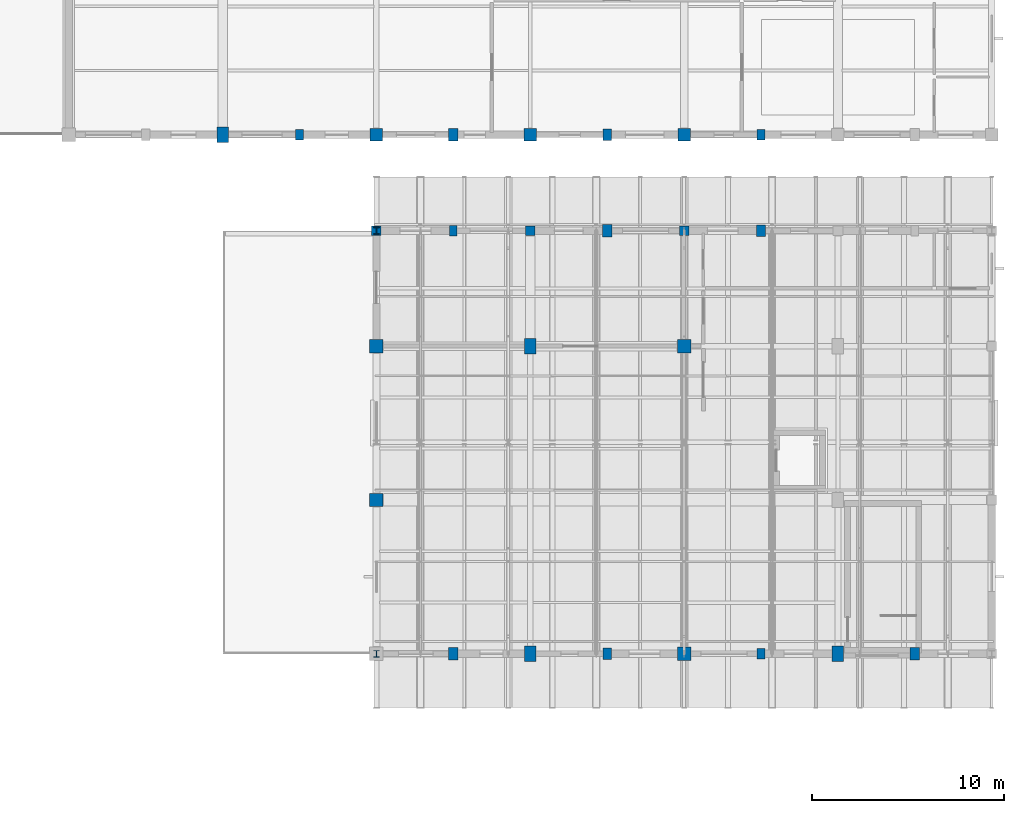
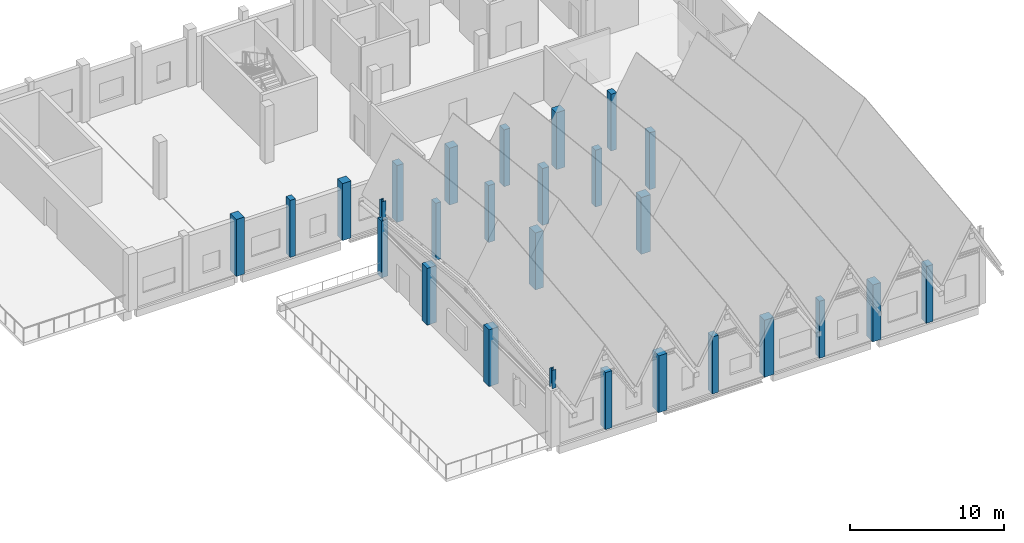
# One storey, part 4 of 48: 27 columns.
"""IFC4 building model written with IfcOpenShell, lengths in metres."""

from ifc_helpers import new_model, si_unit, direction, frame, origin, origin_2d, place, context, subcontext, project, spatial, rectangle, i_section, extrude, material, material_profile, profile_set, type_object, element, save


model = new_model("IFC4")

# Units and contexts
model_context = context("Model", 3, precision=1e-05, world=origin(), true_north=direction((0.0, 1.0)))
body_context = subcontext(model_context, "Body", "Model", "MODEL_VIEW")
ifc_project = project(units=[si_unit("LENGTHUNIT", "METRE"), si_unit("AREAUNIT", "SQUARE_METRE"), si_unit("VOLUMEUNIT", "CUBIC_METRE"), si_unit("PLANEANGLEUNIT", "RADIAN"), si_unit("MASSUNIT", "GRAM", prefix="KILO")], contexts=[model_context])

# Site, building, storey
site_placement = place(None, origin())
site = spatial("IfcSite", under=ifc_project, at=site_placement, CompositionType="ELEMENT")
building_placement = place(site_placement, origin())
building = spatial("IfcBuilding", under=site, at=building_placement, Name="Luwemba Playhouse", CompositionType="ELEMENT")
storey_placement = place(building_placement, frame((0.0, 0.0, 13.800048828125)))
storey = spatial("IfcBuildingStorey", under=building, at=storey_placement, Name="L03", CompositionType="ELEMENT", Elevation=13.800048828125)

# Columns
ifc_material_1 = material(Name="Concrete C40/50", Category="concrete")
ifc_material_profile_1 = material_profile(ifc_material_1, rectangle(XDim=0.5, YDim=0.5, at=origin_2d()))
ifc_profile_set_1 = profile_set([ifc_material_profile_1], Name="Concrete C40/50")
column_type_1 = type_object("IfcColumnType", Name="COL-C02", PredefinedType="COLUMN", material=ifc_profile_set_1)
for number, where, z_axis, x_axis, name in (
    (1, (140.0, 90.0, 0.0), (0.0, 0.0, 1.0), (1.0, 0.0, 0.0), "L03 column 206"),
    (2, (148.0, 90.0, 0.0), (0.0, 0.0, 1.0), (1.0, 0.0, 0.0), "L03 column 229"),
    (3, (156.0, 90.0, 0.0), (0.0, 0.0, 1.0), (1.0, 0.0, 0.0), "L03 column 252"),
):
    element("IfcColumn", number, at=place(storey_placement, frame(where, z_axis=z_axis, x_axis=x_axis)), inside=storey, type_object=column_type_1, Name=name, PredefinedType="COLUMN", context=body_context, shape_type="SweptSolid", body=[
        extrude(rectangle(XDim=0.5, YDim=0.5, at=origin_2d()), origin(), (0.0, 0.0, 1.0), 4.5),
    ])
ifc_material_profile_2 = material_profile(ifc_material_1, rectangle(XDim=0.64990234375, YDim=0.64990234375, at=origin_2d()))
ifc_profile_set_2 = profile_set([ifc_material_profile_2], Name="Concrete C40/50")
column_type_2 = type_object("IfcColumnType", Name="COL-C05", PredefinedType="COLUMN", material=ifc_profile_set_2)
for number, where, z_axis, x_axis, name in (
    (4, (140.0, 95.0, 0.0), (0.0, 0.0, 1.0), (1.0, 0.0, 0.0), "L03 column 207"),
    (5, (148.0, 95.0, 0.0), (0.0, 0.0, 1.0), (1.0, 0.0, 0.0), "L03 column 230"),
    (6, (156.0, 95.0, 0.0), (0.0, 0.0, 1.0), (1.0, 0.0, 0.0), "L03 column 253"),
):
    element("IfcColumn", number, at=place(storey_placement, frame(where, z_axis=z_axis, x_axis=x_axis)), inside=storey, type_object=column_type_2, Name=name, PredefinedType="COLUMN", context=body_context, shape_type="SweptSolid", body=[
        extrude(rectangle(XDim=0.64990234375, YDim=0.64990234375, at=origin_2d()), origin(), (0.0, 0.0, 1.0), 4.5),
    ])
ifc_material_profile_3 = material_profile(ifc_material_1, rectangle(XDim=0.699951171875, YDim=0.699951171875, at=origin_2d()))
ifc_profile_set_3 = profile_set([ifc_material_profile_3], Name="Concrete C40/50")
column_type_3 = type_object("IfcColumnType", Name="COL-C06", PredefinedType="COLUMN", material=ifc_profile_set_3)
for number, where, z_axis, x_axis, name in (
    (7, (140.0, 76.0, 0.0), (0.0, 0.0, 1.0), (1.0, 0.0, 0.0), "L03 column 204"),
    (8, (140.0, 84.0, 0.0), (0.0, 0.0, 1.0), (1.0, 0.0, 0.0), "L03 column 205"),
    (9, (156.0, 68.0, 0.0), (0.0, 0.0, 1.0), (1.0, 0.0, 0.0), "L03 column 249"),
    (10, (156.0, 84.0, 0.0), (0.0, 0.0, 1.0), (1.0, 0.0, 0.0), "L03 column 251"),
):
    element("IfcColumn", number, at=place(storey_placement, frame(where, z_axis=z_axis, x_axis=x_axis)), inside=storey, type_object=column_type_3, Name=name, PredefinedType="COLUMN", context=body_context, shape_type="SweptSolid", body=[
        extrude(rectangle(XDim=0.699951171875, YDim=0.699951171875, at=origin_2d()), origin(), (0.0, 0.0, 1.0), 4.5),
    ])
ifc_material_profile_4 = material_profile(ifc_material_1, rectangle(XDim=0.60009765625, YDim=0.800048828125, at=origin_2d()))
ifc_profile_set_4 = profile_set([ifc_material_profile_4], Name="Concrete C40/50")
column_type_4 = type_object("IfcColumnType", Name="COL-C12", PredefinedType="COLUMN", material=ifc_profile_set_4)
for number, where, z_axis, x_axis, name in (
    (11, (132.0, 95.0, 0.0), (0.0, 0.0, 1.0), (1.0, 0.0, 0.0), "L03 column 184"),
    (12, (148.0, 68.0, 0.0), (0.0, 0.0, 1.0), (1.0, 0.0, 0.0), "L03 column 226"),
    (13, (148.0, 84.0, 0.0), (0.0, 0.0, 1.0), (1.0, 0.0, 0.0), "L03 column 228"),
    (14, (164.0, 68.0, 0.0), (0.0, 0.0, 1.0), (1.0, 0.0, 0.0), "L03 column 272"),
):
    element("IfcColumn", number, at=place(storey_placement, frame(where, z_axis=z_axis, x_axis=x_axis)), inside=storey, type_object=column_type_4, Name=name, PredefinedType="COLUMN", context=body_context, shape_type="SweptSolid", body=[
        extrude(rectangle(XDim=0.60009765625, YDim=0.800048828125, at=origin_2d()), origin(), (0.0, 0.0, 1.0), 4.5),
    ])
ifc_material_profile_5 = material_profile(ifc_material_1, rectangle(XDim=0.39990234375, YDim=0.550048828125, at=origin_2d()))
ifc_profile_set_5 = profile_set([ifc_material_profile_5], Name="Concrete C40/50")
column_type_5 = type_object("IfcColumnType", Name="COL-PIL1", PredefinedType="PILASTER", material=ifc_profile_set_5)
for number, where, z_axis, x_axis, name in (
    (15, (136.0, 95.0, 0.0), (0.0, 0.0, 1.0), (1.0, 0.0, 0.0), "L03 column 193"),
    (16, (144.0, 90.0, 0.0), (0.0, 0.0, 1.0), (1.0, 0.0, 0.0), "L03 column 215"),
    (17, (160.0, 68.0, 0.0), (0.0, 0.0, 1.0), (1.0, 0.0, 0.0), "L03 column 260"),
    (18, (160.0, 95.0, 0.0), (0.0, 0.0, 1.0), (1.0, 0.0, 0.0), "L03 column 262"),
):
    element("IfcColumn", number, at=place(storey_placement, frame(where, z_axis=z_axis, x_axis=x_axis)), inside=storey, type_object=column_type_5, Name=name, PredefinedType="PILASTER", context=body_context, shape_type="SweptSolid", body=[
        extrude(rectangle(XDim=0.39990234375, YDim=0.550048828125, at=origin_2d()), origin(), (0.0, 0.0, 1.0), 4.5),
    ])
ifc_material_profile_6 = material_profile(ifc_material_1, rectangle(XDim=0.449951171875, YDim=0.60009765625, at=origin_2d()))
ifc_profile_set_6 = profile_set([ifc_material_profile_6], Name="Concrete C40/50")
column_type_6 = type_object("IfcColumnType", Name="COL-PIL2", PredefinedType="PILASTER", material=ifc_profile_set_6)
for number, where, z_axis, x_axis, name in (
    (19, (152.0, 68.0, 0.0), (0.0, 0.0, 1.0), (1.0, 0.0, 0.0), "L03 column 237"),
    (20, (152.0, 95.0, 0.0), (0.0, 0.0, 1.0), (1.0, 0.0, 0.0), "L03 column 239"),
    (21, (160.0, 90.0, 0.0), (0.0, 0.0, 1.0), (1.0, 0.0, 0.0), "L03 column 261"),
):
    element("IfcColumn", number, at=place(storey_placement, frame(where, z_axis=z_axis, x_axis=x_axis)), inside=storey, type_object=column_type_6, Name=name, PredefinedType="PILASTER", context=body_context, shape_type="SweptSolid", body=[
        extrude(rectangle(XDim=0.449951171875, YDim=0.60009765625, at=origin_2d()), origin(), (0.0, 0.0, 1.0), 4.5),
    ])
ifc_material_profile_7 = material_profile(ifc_material_1, rectangle(XDim=0.5, YDim=0.64990234375, at=origin_2d()))
ifc_profile_set_7 = profile_set([ifc_material_profile_7], Name="Concrete C40/50")
column_type_7 = type_object("IfcColumnType", Name="COL-PIL3", PredefinedType="PILASTER", material=ifc_profile_set_7)
for number, where, z_axis, x_axis, name in (
    (22, (144.0, 68.0, 0.0), (0.0, 0.0, 1.0), (1.0, 0.0, 0.0), "L03 column 214"),
    (23, (144.0, 95.0, 0.0), (0.0, 0.0, 1.0), (1.0, 0.0, 0.0), "L03 column 216"),
    (24, (152.0, 90.0, 0.0), (0.0, 0.0, 1.0), (1.0, 0.0, 0.0), "L03 column 238"),
    (25, (168.0, 68.0, 0.0), (0.0, 0.0, 1.0), (1.0, 0.0, 0.0), "L03 column 283"),
):
    element("IfcColumn", number, at=place(storey_placement, frame(where, z_axis=z_axis, x_axis=x_axis)), inside=storey, type_object=column_type_7, Name=name, PredefinedType="PILASTER", context=body_context, shape_type="SweptSolid", body=[
        extrude(rectangle(XDim=0.5, YDim=0.64990234375, at=origin_2d()), origin(), (0.0, 0.0, 1.0), 4.5),
    ])
ifc_material_2 = material(Name="Steel S355", Category="steel")
ifc_material_profile_8 = material_profile(ifc_material_2, i_section(OverallWidth=0.300048828125, OverallDepth=0.340087890625, WebThickness=0.011962890625, FlangeThickness=0.021484375, FilletRadius=0.027099609375, at=origin_2d()))
ifc_profile_set_8 = profile_set([ifc_material_profile_8], Name="Steel S355")
column_type_8 = type_object("IfcColumnType", Name="COL-SC2", PredefinedType="COLUMN", material=ifc_profile_set_8)
for number, where, z_axis, x_axis, name in (
    (26, (140.0, 68.0, 4.5), (0.0, 0.0, 1.0), (1.0, 0.0, 0.0), "RF-V4 south corner apex stub"),
    (27, (140.0, 90.0, 4.5), (0.0, 0.0, 1.0), (1.0, 0.0, 0.0), "RF-V4 north corner apex stub"),
):
    element("IfcColumn", number, at=place(storey_placement, frame(where, z_axis=z_axis, x_axis=x_axis)), inside=storey, type_object=column_type_8, Name=name, PredefinedType="COLUMN", context=body_context, shape_type="SweptSolid", body=[
        extrude(i_section(OverallWidth=0.300048828125, OverallDepth=0.340087890625, WebThickness=0.011962890625, FlangeThickness=0.021484375, FilletRadius=0.027099609375, at=origin_2d()), origin(), (0.0, 0.0, 1.0), 1.453857421875),
    ])

save(model, "model.ifc")
